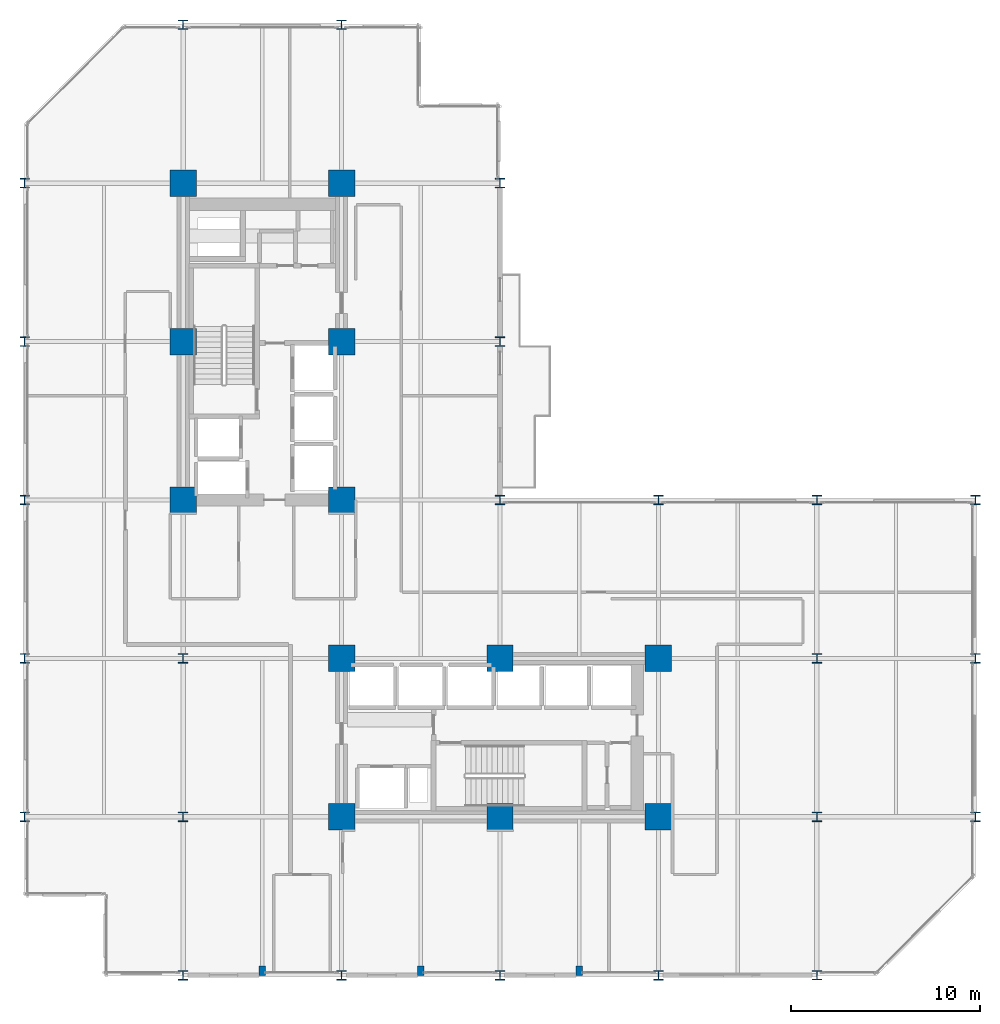
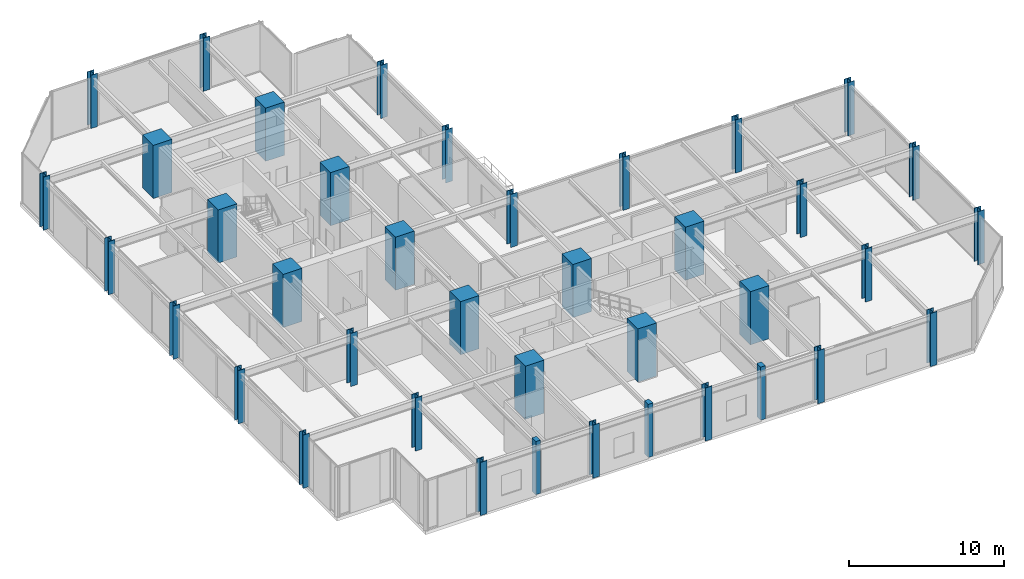
# One storey, part 1 of 24: 39 columns.
"""IFC4 building model written with IfcOpenShell, lengths in metres."""

from ifc_helpers import new_model, si_unit, direction, frame, origin, origin_2d, place, context, subcontext, project, spatial, rectangle, i_section, extrude, material, material_profile, profile_set, type_object, element, save


model = new_model("IFC4")

# Units and contexts
model_context = context("Model", 3, precision=1e-05, world=origin(), true_north=direction((0.0, 1.0)))
body_context = subcontext(model_context, "Body", "Model", "MODEL_VIEW")
ifc_project = project(units=[si_unit("LENGTHUNIT", "METRE"), si_unit("AREAUNIT", "SQUARE_METRE"), si_unit("VOLUMEUNIT", "CUBIC_METRE"), si_unit("PLANEANGLEUNIT", "RADIAN"), si_unit("MASSUNIT", "GRAM", prefix="KILO")], contexts=[model_context])

# Site, building, storey
site_placement = place(None, origin())
site = spatial("IfcSite", under=ifc_project, at=site_placement, CompositionType="ELEMENT")
building_placement = place(site_placement, origin())
building = spatial("IfcBuilding", under=site, at=building_placement, Name="Nerrivon Quay Data Exchange", CompositionType="ELEMENT")
storey_placement = place(building_placement, frame((0.0, 0.0, 50.0)))
storey = spatial("IfcBuildingStorey", under=building, at=storey_placement, Name="L11", CompositionType="ELEMENT", Elevation=50.0)

# Columns
ifc_material_1 = material(Name="Concrete N80 (80 MPa)", Category="concrete")
ifc_material_profile_1 = material_profile(ifc_material_1, rectangle(XDim=1.39990234375, YDim=1.39990234375, at=origin_2d()), Name="RC-COL-1400x1400")
ifc_profile_set_1 = profile_set([ifc_material_profile_1], Name="Concrete N80 (80 MPa)")
column_type_1 = type_object("IfcColumnType", Name="COL-C2-1400", PredefinedType="COLUMN", material=ifc_profile_set_1)
for number, where, z_axis, x_axis, name in (
    (1, (8.39990234375, 25.199951171875, 0.0), (0.0, 0.0, 1.0), (1.0, 0.0, 0.0), "L11 Column (8.4,25.2)"),
    (2, (8.39990234375, 33.60009765625, 0.0), (0.0, 0.0, 1.0), (1.0, 0.0, 0.0), "L11 Column (8.4,33.6)"),
    (3, (8.39990234375, 42.0, 0.0), (0.0, 0.0, 1.0), (1.0, 0.0, 0.0), "L11 Column (8.4,42.0)"),
    (4, (16.800048828125, 8.39990234375, 0.0), (0.0, 0.0, 1.0), (1.0, 0.0, 0.0), "L11 Column (16.8,8.4)"),
    (5, (16.800048828125, 16.800048828125, 0.0), (0.0, 0.0, 1.0), (1.0, 0.0, 0.0), "L11 Column (16.8,16.8)"),
    (6, (16.800048828125, 25.199951171875, 0.0), (0.0, 0.0, 1.0), (1.0, 0.0, 0.0), "L11 Column (16.8,25.2)"),
    (7, (16.800048828125, 33.60009765625, 0.0), (0.0, 0.0, 1.0), (1.0, 0.0, 0.0), "L11 Column (16.8,33.6)"),
    (8, (16.800048828125, 42.0, 0.0), (0.0, 0.0, 1.0), (1.0, 0.0, 0.0), "L11 Column (16.8,42.0)"),
    (9, (25.199951171875, 8.39990234375, 0.0), (0.0, 0.0, 1.0), (1.0, 0.0, 0.0), "L11 Column (25.2,8.4)"),
    (10, (25.199951171875, 16.800048828125, 0.0), (0.0, 0.0, 1.0), (1.0, 0.0, 0.0), "L11 Column (25.2,16.8)"),
    (11, (33.60009765625, 8.39990234375, 0.0), (0.0, 0.0, 1.0), (1.0, 0.0, 0.0), "L11 Column (33.6,8.4)"),
    (12, (33.60009765625, 16.800048828125, 0.0), (0.0, 0.0, 1.0), (1.0, 0.0, 0.0), "L11 Column (33.6,16.8)"),
):
    element("IfcColumn", number, at=place(storey_placement, frame(where, z_axis=z_axis, x_axis=x_axis)), inside=storey, type_object=column_type_1, Name=name, PredefinedType="COLUMN", context=body_context, shape_type="SweptSolid", body=[
        extrude(rectangle(XDim=1.39990234375, YDim=1.39990234375, at=origin_2d()), origin(), (0.0, 0.0, 1.0), 4.199951171875),
    ])
ifc_material_2 = material(Name="Steel Grade 350", Category="steel")
ifc_material_profile_2 = material_profile(ifc_material_2, i_section(OverallWidth=0.5, OverallDepth=0.5, WebThickness=0.028076171875, FlangeThickness=0.0400390625, at=origin_2d()), Name="500WC440")
ifc_profile_set_2 = profile_set([ifc_material_profile_2], Name="Steel Grade 350")
column_type_2 = type_object("IfcColumnType", Name="COL-SC1-500WC", PredefinedType="COLUMN", material=ifc_profile_set_2)
for number, where, z_axis, x_axis, name in (
    (13, (0.0, 8.39990234375, 0.0), (0.0, 0.0, 1.0), (1.0, 0.0, 0.0), "L11 Column (0.0,8.4)"),
    (14, (0.0, 16.800048828125, 0.0), (0.0, 0.0, 1.0), (1.0, 0.0, 0.0), "L11 Column (0.0,16.8)"),
    (15, (0.0, 25.199951171875, 0.0), (0.0, 0.0, 1.0), (1.0, 0.0, 0.0), "L11 Column (0.0,25.2)"),
    (16, (0.0, 33.60009765625, 0.0), (0.0, 0.0, 1.0), (1.0, 0.0, 0.0), "L11 Column (0.0,33.6)"),
    (17, (0.0, 42.0, 0.0), (0.0, 0.0, 1.0), (1.0, 0.0, 0.0), "L11 Column (0.0,42.0)"),
    (18, (8.39990234375, 0.0, 0.0), (0.0, 0.0, 1.0), (1.0, 0.0, 0.0), "L11 Column (8.4,0.0)"),
    (19, (8.39990234375, 8.39990234375, 0.0), (0.0, 0.0, 1.0), (1.0, 0.0, 0.0), "L11 Column (8.4,8.4)"),
    (20, (8.39990234375, 16.800048828125, 0.0), (0.0, 0.0, 1.0), (1.0, 0.0, 0.0), "L11 Column (8.4,16.8)"),
    (21, (8.39990234375, 50.39990234375, 0.0), (0.0, 0.0, 1.0), (1.0, 0.0, 0.0), "L11 Column (8.4,50.4)"),
    (22, (16.800048828125, 0.0, 0.0), (0.0, 0.0, 1.0), (1.0, 0.0, 0.0), "L11 Column (16.8,0.0)"),
    (23, (16.800048828125, 50.39990234375, 0.0), (0.0, 0.0, 1.0), (1.0, 0.0, 0.0), "L11 Column (16.8,50.4)"),
    (24, (25.199951171875, 0.0, 0.0), (0.0, 0.0, 1.0), (1.0, 0.0, 0.0), "L11 Column (25.2,0.0)"),
    (25, (25.199951171875, 25.199951171875, 0.0), (0.0, 0.0, 1.0), (1.0, 0.0, 0.0), "L11 Column (25.2,25.2)"),
    (26, (25.199951171875, 33.60009765625, 0.0), (0.0, 0.0, 1.0), (1.0, 0.0, 0.0), "L11 Column (25.2,33.6)"),
    (27, (25.199951171875, 42.0, 0.0), (0.0, 0.0, 1.0), (1.0, 0.0, 0.0), "L11 Column (25.2,42.0)"),
    (28, (33.60009765625, 0.0, 0.0), (0.0, 0.0, 1.0), (1.0, 0.0, 0.0), "L11 Column (33.6,0.0)"),
    (29, (33.60009765625, 25.199951171875, 0.0), (0.0, 0.0, 1.0), (1.0, 0.0, 0.0), "L11 Column (33.6,25.2)"),
    (30, (42.0, 0.0, 0.0), (0.0, 0.0, 1.0), (1.0, 0.0, 0.0), "L11 Column (42.0,0.0)"),
    (31, (42.0, 8.39990234375, 0.0), (0.0, 0.0, 1.0), (1.0, 0.0, 0.0), "L11 Column (42.0,8.4)"),
    (32, (42.0, 16.800048828125, 0.0), (0.0, 0.0, 1.0), (1.0, 0.0, 0.0), "L11 Column (42.0,16.8)"),
    (33, (42.0, 25.199951171875, 0.0), (0.0, 0.0, 1.0), (1.0, 0.0, 0.0), "L11 Column (42.0,25.2)"),
    (34, (50.39990234375, 8.39990234375, 0.0), (0.0, 0.0, 1.0), (1.0, 0.0, 0.0), "L11 Column (50.4,8.4)"),
    (35, (50.39990234375, 16.800048828125, 0.0), (0.0, 0.0, 1.0), (1.0, 0.0, 0.0), "L11 Column (50.4,16.8)"),
    (36, (50.39990234375, 25.199951171875, 0.0), (0.0, 0.0, 1.0), (1.0, 0.0, 0.0), "L11 Column (50.4,25.2)"),
):
    element("IfcColumn", number, at=place(storey_placement, frame(where, z_axis=z_axis, x_axis=x_axis)), inside=storey, type_object=column_type_2, Name=name, PredefinedType="COLUMN", context=body_context, shape_type="SweptSolid", body=[
        extrude(i_section(OverallWidth=0.5, OverallDepth=0.5, WebThickness=0.028076171875, FlangeThickness=0.0400390625, at=origin_2d()), origin(), (0.0, 0.0, 1.0), 4.199951171875),
    ])
ifc_material_3 = material(Name="Concrete N50 (50 MPa)", Category="concrete")
ifc_material_profile_3 = material_profile(ifc_material_3, rectangle(XDim=0.35009765625, YDim=0.5, at=origin_2d()), Name="RC-PIL-500x350")
ifc_profile_set_3 = profile_set([ifc_material_profile_3], Name="Concrete N50 (50 MPa)")
column_type_3 = type_object("IfcColumnType", Name="PIL-P2-500x350", PredefinedType="PILASTER", material=ifc_profile_set_3)
for number, where, z_axis, x_axis, name in (
    (37, (12.60009765625, 0.25, 0.0), (0.0, 0.0, 1.0), (1.0, 0.0, 0.0), "L11 Facade Pilaster (12.6)"),
    (38, (21.0, 0.25, 0.0), (0.0, 0.0, 1.0), (1.0, 0.0, 0.0), "L11 Facade Pilaster (21.0)"),
    (39, (29.39990234375, 0.25, 0.0), (0.0, 0.0, 1.0), (1.0, 0.0, 0.0), "L11 Facade Pilaster (29.4)"),
):
    element("IfcColumn", number, at=place(storey_placement, frame(where, z_axis=z_axis, x_axis=x_axis)), inside=storey, type_object=column_type_3, Name=name, PredefinedType="PILASTER", context=body_context, shape_type="SweptSolid", body=[
        extrude(rectangle(XDim=0.35009765625, YDim=0.5, at=origin_2d()), origin(), (0.0, 0.0, 1.0), 4.199951171875),
    ])

save(model, "model.ifc")
